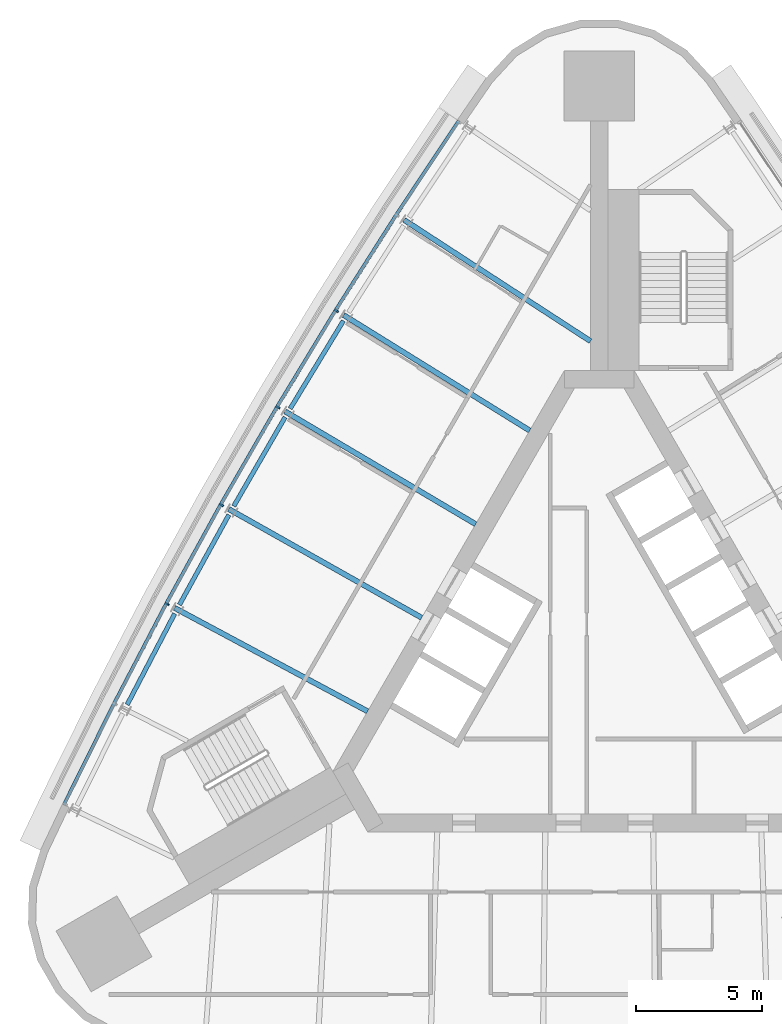
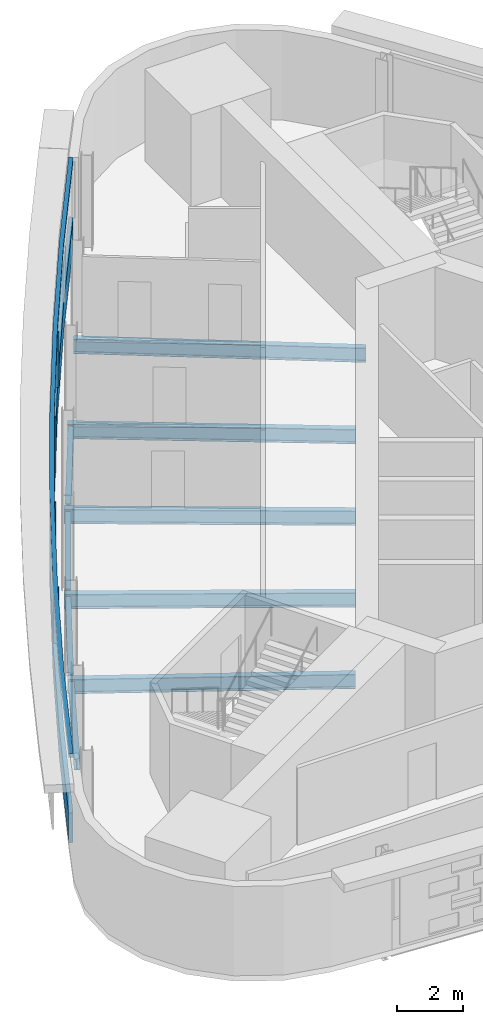
# One storey, part 5 of 15: 9 beams, 6 members, 1 element without a shape of its own.
"""IFC4 building model written with IfcOpenShell, lengths in metres."""

from ifc_helpers import new_model, si_unit, direction, frame, origin, origin_2d, place, context, subcontext, project, spatial, polyline, rectangle, i_section, outline, extrude, material, material_profile, profile_set, type_object, element, aggregate, save


model = new_model("IFC4")

# Units and contexts
model_context = context("Model", 3, precision=1e-05, world=origin(), true_north=direction((0.0, 1.0)))
body_context = subcontext(model_context, "Body", "Model", "MODEL_VIEW")
ifc_project = project(units=[si_unit("LENGTHUNIT", "METRE"), si_unit("AREAUNIT", "SQUARE_METRE"), si_unit("VOLUMEUNIT", "CUBIC_METRE"), si_unit("PLANEANGLEUNIT", "RADIAN"), si_unit("MASSUNIT", "GRAM", prefix="KILO")], contexts=[model_context])

# Site, building, storey
site_placement = place(None, origin())
site = spatial("IfcSite", under=ifc_project, at=site_placement, CompositionType="ELEMENT")
building_placement = place(site_placement, origin())
building = spatial("IfcBuilding", under=site, at=building_placement, Name="Noor Cloister Tower", CompositionType="ELEMENT")
storey_placement = place(building_placement, frame((0.0, 0.0, 181.5)))
storey = spatial("IfcBuildingStorey", under=building, at=storey_placement, Name="L46", CompositionType="ELEMENT", Elevation=181.5)

# Curtain wall, members
ifc_material_1 = material(Name="Aluminium 6063-T6 anodised", Category="aluminium")
curtain_wall_type = type_object("IfcCurtainWallType", Name="Ribbon curtain wall, upper tower CW5", PredefinedType="NOTDEFINED", material=ifc_material_1)
curtain_wall_placement = place(storey_placement, origin())
curtain_wall = element("IfcCurtainWall", 1, at=curtain_wall_placement, inside=storey, type_object=curtain_wall_type, Name="CW5 L46 NW run 1", PredefinedType="NOTDEFINED")
ifc_material_2 = material(Name="Aluminium 6063-T6 anodised", Category="aluminium")
member_type_1 = type_object("IfcMemberType", Name="Head transom CW5 150", PredefinedType="USERDEFINED", material=ifc_material_2)
member_1_placement = place(storey_placement, frame((0.0, 0.0, 3.14990234375)))
member_1 = element("IfcMember", 2, at=member_1_placement, type_object=member_type_1, Name="CW5 head transom", ObjectType="TRANSOM", PredefinedType="USERDEFINED", context=body_context, shape_type="SweptSolid", body=[
    extrude(outline(polyline([(-5.65234375, 21.43310546875), (-8.145263671875, 17.68701171875), (-10.55810546875, 13.888671875), (-12.89013671875, 10.0400390625), (-15.14013671875, 6.14306640625), (-17.30712890625, 2.19921875), (-19.389892578125, -1.78955078125), (-21.387939453125, -5.821533203125), (-21.262451171875, -5.8837890625), (-19.26513671875, -1.85302734375), (-17.18359375, 2.133056640625), (-15.01806640625, 6.074462890625), (-12.76953125, 9.96875), (-10.439208984375, 13.81494140625), (-8.02783203125, 17.610595703125), (-5.53564453125, 21.355712890625), (-5.65234375, 21.43310546875)])), origin(), (0.0, 0.0, 1.0), 0.150146484375),
])
ifc_material_3 = material(Name="Aluminium 6063-T6 anodised", Category="aluminium")
ifc_material_profile_1 = material_profile(ifc_material_3, rectangle(XDim=0.179931640625, YDim=0.070068359375, at=origin_2d()), Name="180 x 70 mullion")
ifc_profile_set_1 = profile_set([ifc_material_profile_1], Name="Aluminium 6063-T6 anodised")
member_type_2 = type_object("IfcMemberType", Name="Mullion CW5 70 x 180", PredefinedType="MULLION", material=ifc_profile_set_1)
member_2_placement = place(storey_placement, frame((-10.47314453125, 13.8359375, 1.10009765625), z_axis=(0.0, 0.0, 1.0), x_axis=(0.849704797145, -0.527258719899, 0.0)))
member_2 = element("IfcMember", 3, at=member_2_placement, type_object=member_type_2, Name="CW5 mullion 3", PredefinedType="MULLION", context=body_context, shape_type="SweptSolid", body=[
    extrude(rectangle(XDim=0.179931640625, YDim=0.070068359375, at=origin_2d()), origin(), (0.0, 0.0, 1.0), 2.0498046875),
])
member_3_placement = place(storey_placement, frame((-12.803955078125, 9.9892578125, 1.10009765625), z_axis=(0.0, 0.0, 1.0), x_axis=(0.860681535601, -0.509143687259, 0.0)))
member_3 = element("IfcMember", 4, at=member_3_placement, type_object=member_type_2, Name="CW5 mullion 4", PredefinedType="MULLION", context=body_context, shape_type="SweptSolid", body=[
    extrude(rectangle(XDim=0.179931640625, YDim=0.070068359375, at=origin_2d()), origin(), (0.0, 0.0, 1.0), 2.0498046875),
])
member_4_placement = place(storey_placement, frame((-15.052978515625, 6.093994140625, 1.10009765625), z_axis=(0.0, 0.0, 1.0), x_axis=(0.871272135143, -0.490800230769, 0.0)))
member_4 = element("IfcMember", 5, at=member_4_placement, type_object=member_type_2, Name="CW5 mullion 5", PredefinedType="MULLION", context=body_context, shape_type="SweptSolid", body=[
    extrude(rectangle(XDim=0.179931640625, YDim=0.070068359375, at=origin_2d()), origin(), (0.0, 0.0, 1.0), 2.0498046875),
])
member_5_placement = place(storey_placement, frame((-17.21875, 2.152099609375, 1.10009765625), z_axis=(0.0, 0.0, 1.0), x_axis=(0.881471844372, -0.472236580095, 0.0)))
member_5 = element("IfcMember", 6, at=member_5_placement, type_object=member_type_2, Name="CW5 mullion 6", PredefinedType="MULLION", context=body_context, shape_type="SweptSolid", body=[
    extrude(rectangle(XDim=0.179931640625, YDim=0.070068359375, at=origin_2d()), origin(), (0.0, 0.0, 1.0), 2.0498046875),
])

# Beams
ifc_material_4 = material(Name="Steel ASTM A992 Gr 50", Category="steel")
ifc_material_profile_2 = material_profile(ifc_material_4, i_section(OverallWidth=0.208984375, OverallDepth=0.532958984375, WebThickness=0.01025390625, FlangeThickness=0.015625, FilletRadius=0.0126953125, at=origin_2d()), Name="W530x92")
ifc_profile_set_2 = profile_set([ifc_material_profile_2], Name="Steel ASTM A992 Gr 50")
beam_type_1 = type_object("IfcBeamType", Name="Radial beam W530x92", PredefinedType="BEAM", material=ifc_profile_set_2)
beam_1_placement = place(storey_placement, frame((-7.778076171875, 17.4482421875, -0.466552734375), z_axis=(0.838346024054, -0.545138463102, 0.0), x_axis=(0.545138463102, 0.838346024054, 0.0)))
element("IfcBeam", 7, at=beam_1_placement, inside=storey, type_object=beam_type_1, Name="Radial beam NW 02 L46", PredefinedType="BEAM", context=body_context, shape_type="SweptSolid", body=[
    extrude(i_section(OverallWidth=0.208984375, OverallDepth=0.532958984375, WebThickness=0.01025390625, FlangeThickness=0.015625, FilletRadius=0.0126953125, at=origin_2d()), origin(), (0.0, 0.0, 1.0), 8.8603515625),
])
beam_2_placement = place(storey_placement, frame((-10.18603515625, 13.65771484375, -0.466552734375), z_axis=(0.849702407051, -0.52726257164, 0.0), x_axis=(0.52726257164, 0.849702407051, 0.0)))
element("IfcBeam", 8, at=beam_2_placement, inside=storey, type_object=beam_type_1, Name="Radial beam NW 03 L46", PredefinedType="BEAM", context=body_context, shape_type="SweptSolid", body=[
    extrude(i_section(OverallWidth=0.208984375, OverallDepth=0.532958984375, WebThickness=0.01025390625, FlangeThickness=0.015625, FilletRadius=0.0126953125, at=origin_2d()), origin(), (0.0, 0.0, 1.0), 8.726318359375),
])
for number, where, z_axis, x_axis, name in (
    (9, (-12.51318359375, 9.817138671875, -0.466552734375), (0.860676725075, -0.509151819122, 0.0), (0.509151819122, 0.860676725075, 0.0), "Radial beam NW 04 L46"),
    (10, (-14.758544921875, 5.92822265625, -0.466552734375), (0.871276643903, -0.490792226701, 0.0), (0.490792226701, 0.871276643903, 0.0), "Radial beam NW 05 L46"),
):
    element("IfcBeam", number, at=place(storey_placement, frame(where, z_axis=z_axis, x_axis=x_axis)), inside=storey, type_object=beam_type_1, Name=name, PredefinedType="BEAM", context=body_context, shape_type="SweptSolid", body=[
        extrude(i_section(OverallWidth=0.208984375, OverallDepth=0.532958984375, WebThickness=0.01025390625, FlangeThickness=0.015625, FilletRadius=0.0126953125, at=origin_2d()), origin(), (0.0, 0.0, 1.0), 8.817626953125),
    ])
beam_3_placement = place(storey_placement, frame((-16.9208984375, 1.992431640625, -0.466552734375), z_axis=(0.881477058611, -0.472226847122, 0.0), x_axis=(0.472226847122, 0.881477058611, 0.0)))
element("IfcBeam", 11, at=beam_3_placement, inside=storey, type_object=beam_type_1, Name="Radial beam NW 06 L46", PredefinedType="BEAM", context=body_context, shape_type="SweptSolid", body=[
    extrude(i_section(OverallWidth=0.208984375, OverallDepth=0.532958984375, WebThickness=0.01025390625, FlangeThickness=0.015625, FilletRadius=0.0126953125, at=origin_2d()), origin(), (0.0, 0.0, 1.0), 8.726318359375),
])

# Member
ifc_material_5 = material(Name="Aluminium 6063-T6 anodised", Category="aluminium")
member_type_3 = type_object("IfcMemberType", Name="Sill transom CW5 1100", PredefinedType="USERDEFINED", material=ifc_material_5)
member_6_placement = place(storey_placement, origin())
member_6 = element("IfcMember", 12, at=member_6_placement, type_object=member_type_3, Name="CW5 sill transom", ObjectType="TRANSOM", PredefinedType="USERDEFINED", context=body_context, shape_type="SweptSolid", body=[
    extrude(outline(polyline([(-5.65234375, 21.43310546875), (-8.145263671875, 17.68701171875), (-10.55810546875, 13.888671875), (-12.89013671875, 10.0400390625), (-15.14013671875, 6.14306640625), (-17.30712890625, 2.19921875), (-19.389892578125, -1.78955078125), (-21.387939453125, -5.821533203125), (-21.262451171875, -5.8837890625), (-19.26513671875, -1.85302734375), (-17.18359375, 2.133056640625), (-15.01806640625, 6.074462890625), (-12.76953125, 9.96875), (-10.439208984375, 13.81494140625), (-8.02783203125, 17.610595703125), (-5.53564453125, 21.355712890625), (-5.65234375, 21.43310546875)])), origin(), (0.0, 0.0, 1.0), 1.10009765625),
])

aggregate(curtain_wall, [member_2, member_3, member_4, member_5, member_6, member_1])

# Beams
ifc_material_6 = material(Name="Steel ASTM A992 Gr 50", Category="steel")
ifc_material_profile_3 = material_profile(ifc_material_6, i_section(OverallWidth=0.177978515625, OverallDepth=0.406005859375, WebThickness=0.0078125, FlangeThickness=0.0126953125, FilletRadius=0.01025390625, at=origin_2d()), Name="W410x60")
ifc_profile_set_3 = profile_set([ifc_material_profile_3], Name="Steel ASTM A992 Gr 50")
beam_type_2 = type_object("IfcBeamType", Name="Spandrel beam W410x60", PredefinedType="SPANDREL", material=ifc_profile_set_3)
beam_4_placement = place(storey_placement, frame((-10.19287109375, 13.43017578125, -0.403076171875), z_axis=(-0.518252817044, -0.85522746543, 0.0), x_axis=(0.85522746543, -0.518252817044, 0.0)))
element("IfcBeam", 13, at=beam_4_placement, inside=storey, type_object=beam_type_2, Name="Spandrel beam NW 03 L46", PredefinedType="SPANDREL", context=body_context, shape_type="SweptSolid", body=[
    extrude(i_section(OverallWidth=0.177978515625, OverallDepth=0.406005859375, WebThickness=0.0078125, FlangeThickness=0.0126953125, FilletRadius=0.01025390625, at=origin_2d()), origin(), (0.0, 0.0, 1.0), 4.09423828125),
])
beam_5_placement = place(storey_placement, frame((-12.515380859375, 9.589599609375, -0.403076171875), z_axis=(-0.499980532398, -0.866036643118, 0.0), x_axis=(0.866036643118, -0.499980532398, 0.0)))
element("IfcBeam", 14, at=beam_5_placement, inside=storey, type_object=beam_type_2, Name="Spandrel beam NW 04 L46", PredefinedType="SPANDREL", context=body_context, shape_type="SweptSolid", body=[
    extrude(i_section(OverallWidth=0.177978515625, OverallDepth=0.406005859375, WebThickness=0.0078125, FlangeThickness=0.0126953125, FilletRadius=0.01025390625, at=origin_2d()), origin(), (0.0, 0.0, 1.0), 4.094482421875),
])
beam_6_placement = place(storey_placement, frame((-14.755859375, 5.700439453125, -0.403076171875), z_axis=(-0.481536411785, -0.876426085945, 0.0), x_axis=(0.876426085945, -0.481536411785, 0.0)))
element("IfcBeam", 15, at=beam_6_placement, inside=storey, type_object=beam_type_2, Name="Spandrel beam NW 05 L46", PredefinedType="SPANDREL", context=body_context, shape_type="SweptSolid", body=[
    extrude(i_section(OverallWidth=0.177978515625, OverallDepth=0.406005859375, WebThickness=0.0078125, FlangeThickness=0.0126953125, FilletRadius=0.01025390625, at=origin_2d()), origin(), (0.0, 0.0, 1.0), 4.093994140625),
])
beam_7_placement = place(storey_placement, frame((-16.913330078125, 1.764892578125, -0.403076171875), z_axis=(-0.462910374698, -0.886405090801, 0.0), x_axis=(0.886405090801, -0.462910374698, 0.0)))
element("IfcBeam", 16, at=beam_7_placement, inside=storey, type_object=beam_type_2, Name="Spandrel beam NW 06 L46", PredefinedType="SPANDREL", context=body_context, shape_type="SweptSolid", body=[
    extrude(i_section(OverallWidth=0.177978515625, OverallDepth=0.406005859375, WebThickness=0.0078125, FlangeThickness=0.0126953125, FilletRadius=0.01025390625, at=origin_2d()), origin(), (0.0, 0.0, 1.0), 4.09423828125),
])

save(model, "model.ifc")
